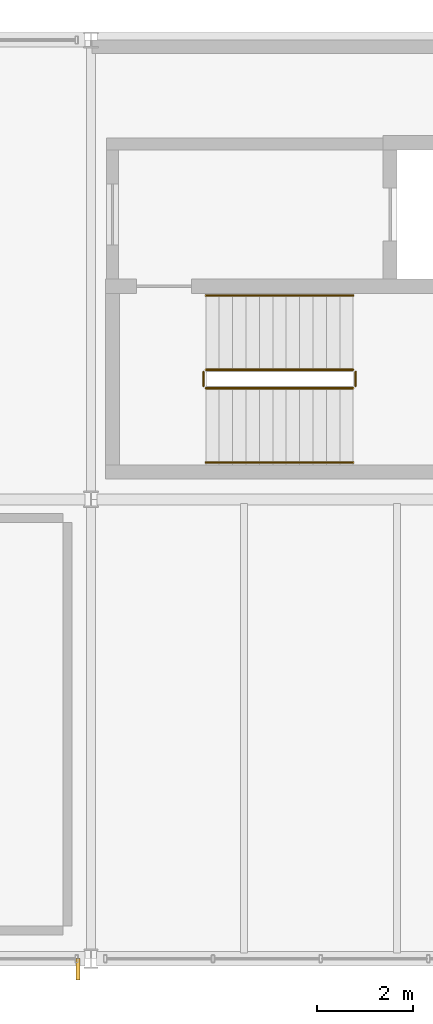
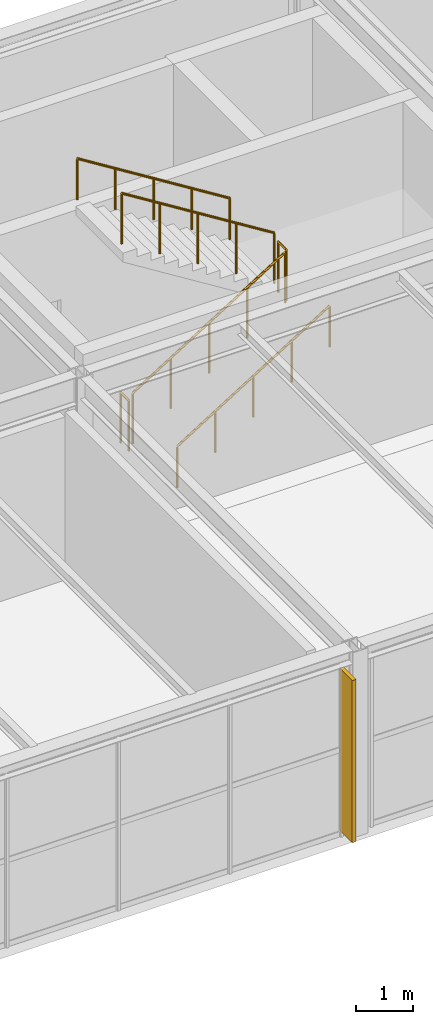
# One storey, part 123 of 126: 6 railings, 1 shading device.
"""IFC4 building model written with IfcOpenShell, lengths in metres."""

from ifc_helpers import new_model, si_unit, direction, frame, origin, origin_2d, place, context, subcontext, project, spatial, rectangle, circle, extrude, material, type_object, element, save


model = new_model("IFC4")

# Units and contexts
model_context = context("Model", 3, precision=1e-05, world=origin(), true_north=direction((0.0, 1.0)))
body_context = subcontext(model_context, "Body", "Model", "MODEL_VIEW")
ifc_project = project(units=[si_unit("LENGTHUNIT", "METRE"), si_unit("AREAUNIT", "SQUARE_METRE"), si_unit("VOLUMEUNIT", "CUBIC_METRE"), si_unit("PLANEANGLEUNIT", "RADIAN"), si_unit("MASSUNIT", "GRAM", prefix="KILO")], contexts=[model_context])

# Site, building, storey
site_placement = place(None, origin())
site = spatial("IfcSite", under=ifc_project, at=site_placement, CompositionType="ELEMENT")
building_placement = place(site_placement, origin())
building = spatial("IfcBuilding", under=site, at=building_placement, Name="Coralgate Yard Interchange", CompositionType="ELEMENT")
storey_placement = place(building_placement, frame((0.0, 0.0, 10.5)))
storey = spatial("IfcBuildingStorey", under=building, at=storey_placement, Name="L02", CompositionType="ELEMENT", Elevation=10.5)

# Railings
ifc_material_1 = material(Name="Grade 316 marine stainless steel and toughened glass balustrade", Category="steel")
railing_type_1 = type_object("IfcRailingType", Name="RLG-GD1100", PredefinedType="BALUSTRADE", material=ifc_material_1)
railing_1_placement = place(storey_placement, frame((50.39990234375, 11.919921875, 0.175048828125)))
element("IfcRailing", 1, at=railing_1_placement, inside=storey, type_object=railing_type_1, Name="L02 ST-02 stair guard 1", PredefinedType="BALUSTRADE", context=body_context, shape_type="SweptSolid", body=[
    extrude(circle(Radius=0.02392578125, at=origin_2d()), frame((0.0, 0.0, 1.076171875), z_axis=(0.847998304005, 0.0, 0.529998940003), x_axis=(0.0, 1.0, 0.0)), (0.0, 0.0, 1.0), 3.632080078125),
    extrude(circle(Radius=0.02099609375, at=origin_2d()), origin(), (0.0, 0.0, 1.0), 1.051513671875),
    extrude(circle(Radius=0.02099609375, at=origin_2d()), frame((0.77001953125, 0.0, 0.481201171875)), (0.0, 0.0, 1.0), 1.051513671875),
    extrude(circle(Radius=0.02099609375, at=origin_2d()), frame((1.5400390625, 0.0, 0.96240234375)), (0.0, 0.0, 1.0), 1.051513671875),
    extrude(circle(Radius=0.02099609375, at=origin_2d()), frame((2.31005859375, 0.0, 1.44384765625)), (0.0, 0.0, 1.0), 1.051513671875),
    extrude(circle(Radius=0.02099609375, at=origin_2d()), frame((3.080078125, 0.0, 1.925048828125)), (0.0, 0.0, 1.0), 1.051513671875),
])
railing_2_placement = place(storey_placement, frame((53.530029296875, 11.969970703125, 2.10009765625)))
element("IfcRailing", 2, at=railing_2_placement, inside=storey, type_object=railing_type_1, Name="L02 ST-02 stair guard 2", PredefinedType="BALUSTRADE", context=body_context, shape_type="SweptSolid", body=[
    extrude(circle(Radius=0.02392578125, at=origin_2d()), frame((0.0, 0.0, 1.076171875), z_axis=(0.0, 1.0, 0.0), x_axis=(-1.0, 0.0, 0.0)), (0.0, 0.0, 1.0), 0.2900390625),
    extrude(circle(Radius=0.02099609375, at=origin_2d()), origin(), (0.0, 0.0, 1.0), 1.051513671875),
    extrude(circle(Radius=0.02099609375, at=origin_2d()), frame((0.0, 0.2900390625, 0.0)), (0.0, 0.0, 1.0), 1.051513671875),
])
railing_3_placement = place(storey_placement, frame((53.47998046875, 12.31005859375, 2.27490234375)))
element("IfcRailing", 3, at=railing_3_placement, inside=storey, type_object=railing_type_1, Name="L02 ST-02 stair guard 3", PredefinedType="BALUSTRADE", context=body_context, shape_type="SweptSolid", body=[
    extrude(circle(Radius=0.02392578125, at=origin_2d()), frame((0.0, 0.0, 1.076171875), z_axis=(-0.847998304005, 0.0, 0.529998940003), x_axis=(0.0, -1.0, 0.0)), (0.0, 0.0, 1.0), 3.632080078125),
    extrude(circle(Radius=0.02099609375, at=origin_2d()), origin(), (0.0, 0.0, 1.0), 1.051513671875),
    extrude(circle(Radius=0.02099609375, at=origin_2d()), frame((-0.77001953125, 0.0, 0.481201171875)), (0.0, 0.0, 1.0), 1.051513671875),
    extrude(circle(Radius=0.02099609375, at=origin_2d()), frame((-1.5400390625, 0.0, 0.96240234375)), (0.0, 0.0, 1.0), 1.051513671875),
    extrude(circle(Radius=0.02099609375, at=origin_2d()), frame((-2.31005859375, 0.0, 1.44384765625)), (0.0, 0.0, 1.0), 1.051513671875),
    extrude(circle(Radius=0.02099609375, at=origin_2d()), frame((-3.080078125, 0.0, 1.925048828125)), (0.0, 0.0, 1.0), 1.051513671875),
])
railing_4_placement = place(storey_placement, frame((50.35009765625, 11.969970703125, 0.0)))
element("IfcRailing", 4, at=railing_4_placement, inside=storey, type_object=railing_type_1, Name="L02 ST-02 stair guard 4", PredefinedType="BALUSTRADE", context=body_context, shape_type="SweptSolid", body=[
    extrude(circle(Radius=0.02392578125, at=origin_2d()), frame((0.0, 0.0, 1.076171875), z_axis=(0.0, 1.0, 0.0), x_axis=(-1.0, 0.0, 0.0)), (0.0, 0.0, 1.0), 0.2900390625),
    extrude(circle(Radius=0.02099609375, at=origin_2d()), origin(), (0.0, 0.0, 1.0), 1.051513671875),
    extrude(circle(Radius=0.02099609375, at=origin_2d()), frame((0.0, 0.2900390625, 0.0)), (0.0, 0.0, 1.0), 1.051513671875),
])
ifc_material_2 = material(Name="Grade 316 marine stainless steel", Category="steel")
railing_type_2 = type_object("IfcRailingType", Name="RLG-HR900", PredefinedType="HANDRAIL", material=ifc_material_2)
railing_5_placement = place(storey_placement, frame((50.39990234375, 10.3701171875, 0.175048828125)))
element("IfcRailing", 5, at=railing_5_placement, inside=storey, type_object=railing_type_2, Name="L02 ST-02 stair handrail 1", PredefinedType="HANDRAIL", context=body_context, shape_type="SweptSolid", body=[
    extrude(circle(Radius=0.02392578125, at=origin_2d()), frame((0.0, 0.0, 0.8759765625), z_axis=(0.847998304005, 0.0, 0.529998940003), x_axis=(0.0, 1.0, 0.0)), (0.0, 0.0, 1.0), 3.632080078125),
    extrude(circle(Radius=0.02099609375, at=origin_2d()), origin(), (0.0, 0.0, 1.0), 0.851318359375),
    extrude(circle(Radius=0.02099609375, at=origin_2d()), frame((0.77001953125, 0.0, 0.481201171875)), (0.0, 0.0, 1.0), 0.851318359375),
    extrude(circle(Radius=0.02099609375, at=origin_2d()), frame((1.5400390625, 0.0, 0.96240234375)), (0.0, 0.0, 1.0), 0.851318359375),
    extrude(circle(Radius=0.02099609375, at=origin_2d()), frame((2.31005859375, 0.0, 1.44384765625)), (0.0, 0.0, 1.0), 0.851318359375),
    extrude(circle(Radius=0.02099609375, at=origin_2d()), frame((3.080078125, 0.0, 1.925048828125)), (0.0, 0.0, 1.0), 0.851318359375),
])
railing_6_placement = place(storey_placement, frame((53.47998046875, 13.860107421875, 2.27490234375)))
element("IfcRailing", 6, at=railing_6_placement, inside=storey, type_object=railing_type_2, Name="L02 ST-02 stair handrail 2", PredefinedType="HANDRAIL", context=body_context, shape_type="SweptSolid", body=[
    extrude(circle(Radius=0.02392578125, at=origin_2d()), frame((0.0, 0.0, 0.8759765625), z_axis=(-0.847998304005, 0.0, 0.529998940003), x_axis=(0.0, -1.0, 0.0)), (0.0, 0.0, 1.0), 3.632080078125),
    extrude(circle(Radius=0.02099609375, at=origin_2d()), origin(), (0.0, 0.0, 1.0), 0.851318359375),
    extrude(circle(Radius=0.02099609375, at=origin_2d()), frame((-0.77001953125, 0.0, 0.481201171875)), (0.0, 0.0, 1.0), 0.851318359375),
    extrude(circle(Radius=0.02099609375, at=origin_2d()), frame((-1.5400390625, 0.0, 0.96240234375)), (0.0, 0.0, 1.0), 0.851318359375),
    extrude(circle(Radius=0.02099609375, at=origin_2d()), frame((-2.31005859375, 0.0, 1.44384765625)), (0.0, 0.0, 1.0), 0.851318359375),
    extrude(circle(Radius=0.02099609375, at=origin_2d()), frame((-3.080078125, 0.0, 1.925048828125)), (0.0, 0.0, 1.0), 0.851318359375),
])

# Shading device
ifc_material_3 = material(Name="Anodised coastal aluminium vertical brise-soleil blade", Category="aluminium")
shading_device_type = type_object("IfcShadingDeviceType", Name="SHD-BS1", PredefinedType="SHUTTER", material=ifc_material_3)
shading_device_placement = place(storey_placement, frame((47.72998046875, -0.219970703125, 0.10009765625), z_axis=(0.0, 0.0, 1.0), x_axis=(-1.0, 0.0, 0.0)))
element("IfcShadingDevice", 7, at=shading_device_placement, inside=storey, type_object=shading_device_type, Name="L02 coastal aluminium brise-soleil fin S-4-0", PredefinedType="SHUTTER", context=body_context, shape_type="SweptSolid", body=[
    extrude(rectangle(XDim=0.080078125, YDim=0.449951171875, at=origin_2d()), origin(), (0.0, 0.0, 1.0), 3.4599609375),
])

save(model, "model.ifc")
